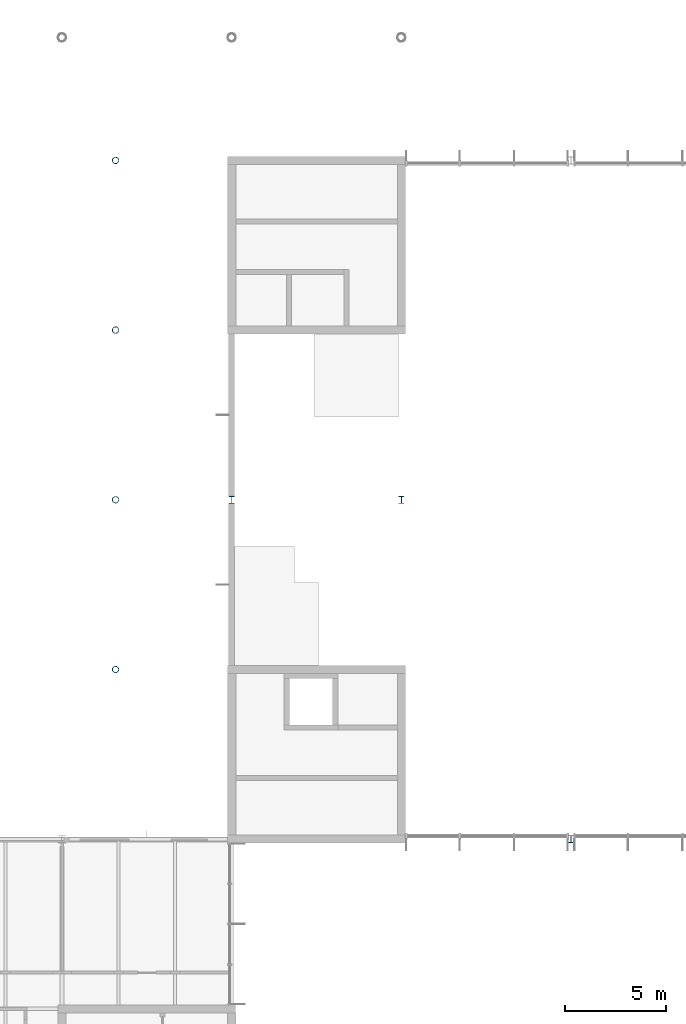
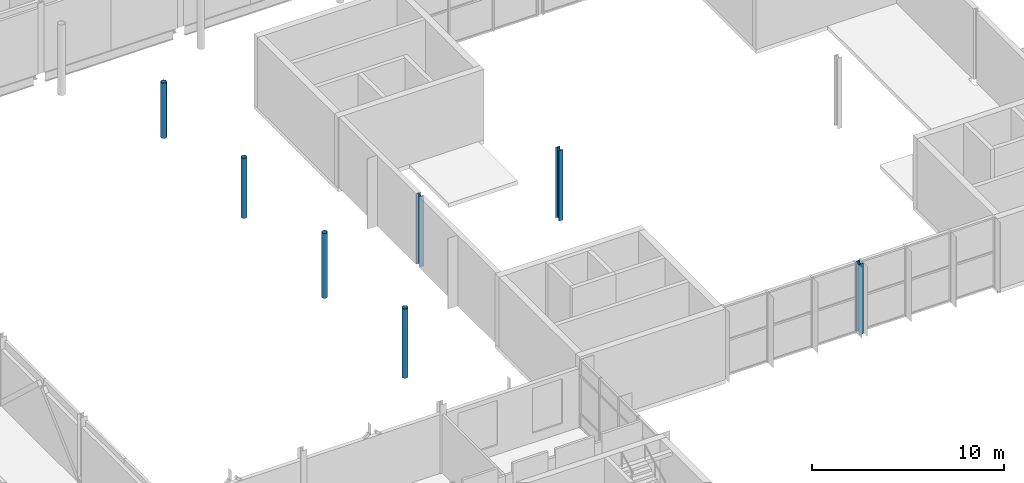
# One storey, part 4 of 89: 7 columns.
"""IFC4 building model written with IfcOpenShell, lengths in metres."""

import ifcopenshell
import ifcopenshell.guid

model = None  # the IFC model being written
_history = None  # IfcOwnerHistory: only IFC2X3 demands one
_inside = {}  # id of a spatial element -> (the spatial element, [elements in it])
_under = {}  # id of a project, library or spatial element -> (it, [spatial elements below it])
_declared = {}  # id of a project -> (the project, [libraries it declares])
_typed = {}  # id of a type object -> (the type object, [elements of that type])
_made_of = {}  # id of a material, layer set ... -> (it, [elements and type objects made of it])


def new_model(schema):
    """Start an empty IFC model of exactly this schema.

    Asked for "IFC4X3", IfcOpenShell would pick the latest addendum, in which some entities
    have other attributes; the version numbers below select the first issue.
    IFC2X3 requires an IfcOwnerHistory on every rooted entity: one is made here for all.
    """
    global model, _history
    if schema == "IFC4X3":
        model = ifcopenshell.file(schema_version=(4, 3, 0, 0))
    else:
        model = ifcopenshell.file(schema=schema)
    _inside.clear()
    _under.clear()
    _declared.clear()
    _typed.clear()
    _made_of.clear()
    _history = None
    if model.schema == "IFC2X3":
        org = make("IfcOrganization", Name="unknown")
        user = make(
            "IfcPersonAndOrganization",
            ThePerson=make("IfcPerson", FamilyName="unknown"),
            TheOrganization=org,
        )
        app = make(
            "IfcApplication",
            ApplicationDeveloper=org,
            Version="unknown",
            ApplicationFullName="unknown",
            ApplicationIdentifier="unknown",
        )
        _history = make(
            "IfcOwnerHistory",
            OwningUser=user,
            OwningApplication=app,
            ChangeAction="ADDED",
            CreationDate=0,
        )
    return model


def make(cls, **values):
    """One entity of the class cls with the attributes given. An attribute that is None is left unset."""
    return model.create_entity(
        cls, **{name: value for name, value in values.items() if value is not None}
    )


def rooted(cls, **values):
    """An entity with a GlobalId (a new one), such as an element, a storey or a relation."""
    return make(cls, GlobalId=ifcopenshell.guid.new(), OwnerHistory=_history, **values)


def si_unit(unit_type, name, prefix=None):
    """IfcSIUnit, for example si_unit("LENGTHUNIT", "METRE", prefix="MILLI")."""
    return make("IfcSIUnit", UnitType=unit_type, Prefix=prefix, Name=name)


def assignment(units):
    """IfcUnitAssignment: the units of a project."""
    return None if units is None else make("IfcUnitAssignment", Units=units)


def point(xyz):
    """IfcCartesianPoint."""
    return None if xyz is None else make("IfcCartesianPoint", Coordinates=xyz)


def direction(xyz):
    """IfcDirection."""
    return None if xyz is None else make("IfcDirection", DirectionRatios=xyz)


def frame(location, z_axis=None, x_axis=None):
    """IfcAxis2Placement3D, a coordinate frame: its origin and axes. An axis left out is left unset."""
    return make(
        "IfcAxis2Placement3D",
        Location=point(location),
        Axis=direction(z_axis),
        RefDirection=direction(x_axis),
    )


def frame_2d(location, x_axis=None):
    """IfcAxis2Placement2D, a coordinate frame in the plane: its origin and x axis."""
    return make(
        "IfcAxis2Placement2D", Location=point(location), RefDirection=direction(x_axis)
    )


def origin():
    """The frame at (0, 0, 0) with its axes left unset."""
    return frame((0.0, 0.0, 0.0))


def origin_2d():
    """The frame at (0, 0) in the plane with its x axis left unset."""
    return frame_2d((0.0, 0.0))


def place(relative_to, where):
    """IfcLocalPlacement: puts the frame where relative to a parent placement (None: the world)."""
    return make(
        "IfcLocalPlacement", PlacementRelTo=relative_to, RelativePlacement=where
    )


def context(
    kind, dimensions, precision=None, world=None, true_north=None, identifier=None
):
    """IfcGeometricRepresentationContext, for example the 3D "Model" context."""
    return make(
        "IfcGeometricRepresentationContext",
        ContextIdentifier=identifier,
        ContextType=kind,
        CoordinateSpaceDimension=dimensions,
        Precision=precision,
        WorldCoordinateSystem=world,
        TrueNorth=true_north,
    )


def subcontext(parent, identifier, kind, view, scale=None):
    """IfcGeometricRepresentationSubContext, for example "Body" below "Model"."""
    return make(
        "IfcGeometricRepresentationSubContext",
        ContextIdentifier=identifier,
        ContextType=kind,
        ParentContext=parent,
        TargetScale=scale,
        TargetView=view,
    )


def project(units=None, contexts=None):
    """IfcProject with its units and contexts."""
    return rooted(
        "IfcProject",
        Name="project",
        RepresentationContexts=contexts,
        UnitsInContext=assignment(units),
    )


def spatial(cls, under=None, at=None, **own):
    """A site, building, storey or space (cls), placed at a placement, below another one or the project."""
    s = rooted(cls, ObjectPlacement=at, **own)
    if under is not None:
        _under.setdefault(under.id(), (under, []))[1].append(s)
    return s


def profile(cls, at=None, kind="AREA", **sizes):
    """A parametric profile (cls). Its sizes go by their IFC names, for example OverallWidth=200.0."""
    return make(cls, ProfileType=kind, Position=at, **sizes)


def hollow_circle(**sizes):
    """IfcCircleHollowProfileDef."""
    return profile("IfcCircleHollowProfileDef", **sizes)


def i_section(**sizes):
    """IfcIShapeProfileDef."""
    return profile("IfcIShapeProfileDef", **sizes)


def extrude(swept, where, along, depth):
    """IfcExtrudedAreaSolid: the profile swept, set in the frame where, extruded along a direction by depth."""
    return make(
        "IfcExtrudedAreaSolid",
        SweptArea=swept,
        Position=where,
        ExtrudedDirection=direction(along),
        Depth=depth,
    )


def shape(context_of_items, identifier, shape_type, items):
    """IfcShapeRepresentation: the items that make up one representation, for example the "Body"."""
    return make(
        "IfcShapeRepresentation",
        ContextOfItems=context_of_items,
        RepresentationIdentifier=identifier,
        RepresentationType=shape_type,
        Items=items,
    )


def material(Name=None, Category=None):
    """IfcMaterial."""
    return make("IfcMaterial", Name=Name, Category=Category)


def material_profile(
    of_material, cross_section, Name=None, Category=None, Priority=None
):
    """IfcMaterialProfile: a cross section and its material."""
    return make(
        "IfcMaterialProfile",
        Name=Name,
        Material=of_material,
        Profile=cross_section,
        Priority=Priority,
        Category=Category,
    )


def profile_set(profiles, Name=None, composite=None):
    """IfcMaterialProfileSet."""
    return make(
        "IfcMaterialProfileSet",
        Name=Name,
        MaterialProfiles=profiles,
        CompositeProfile=composite,
    )


def made_of(thing, what):
    """Note that an element or type object is made of a material, layer set ...; save() writes the relation."""
    if what is not None:
        _made_of.setdefault(what.id(), (what, []))[1].append(thing)
    return thing


def type_object(cls, material=None, **own):
    """A type object (cls), such as IfcWallType, which elements share."""
    return made_of(rooted(cls, **own), material)


def element(
    cls,
    number,
    at=None,
    inside=None,
    cuts=None,
    type_object=None,
    material=None,
    context=None,
    identifier="Body",
    shape_type=None,
    held_by="IfcProductDefinitionShape",
    body=None,
    shapes=None,
    **own,
):
    """One element of the class cls, such as IfcWall. Its Tag is "e" and its number.

    at: its placement. inside: the storey or other place that contains it. cuts: it is an
    opening in that element (IfcRelVoidsElement). A single representation is given by context,
    identifier, shape_type and body (its items); several are given by shapes. held_by: the class
    of the entity that holds the representations. save() writes the other relations.
    """
    e = rooted(cls, Tag="e%d" % number, ObjectPlacement=at, **own)
    if body is not None:
        shapes = [shape(context, identifier, shape_type, body)]
    if shapes is not None:
        e.Representation = make(held_by, Representations=shapes)
    if inside is not None:
        _inside.setdefault(inside.id(), (inside, []))[1].append(e)
    if cuts is not None:
        rooted(
            "IfcRelVoidsElement", RelatingBuildingElement=cuts, RelatedOpeningElement=e
        )
    if type_object is not None:
        _typed.setdefault(type_object.id(), (type_object, []))[1].append(e)
    return made_of(e, material)


def aggregate(whole, parts):
    """IfcRelAggregates: a whole, such as a stair, and the parts it consists of."""
    return rooted("IfcRelAggregates", RelatingObject=whole, RelatedObjects=parts)


def save(model, path):
    """Write the relations noted so far, then the file.

    IfcRelAggregates (storeys below a building ...), IfcRelContainedInSpatialStructure (elements
    in a storey), IfcRelDefinesByType, IfcRelAssociatesMaterial and IfcRelDeclares: one each for
    every whole, place, type object, material and project.
    """
    for whole, parts in _under.values():
        aggregate(whole, parts)
    for where, things in _inside.values():
        rooted(
            "IfcRelContainedInSpatialStructure",
            RelatedElements=things,
            RelatingStructure=where,
        )
    for kind, things in _typed.values():
        rooted("IfcRelDefinesByType", RelatedObjects=things, RelatingType=kind)
    for what, things in _made_of.values():
        rooted("IfcRelAssociatesMaterial", RelatedObjects=things, RelatingMaterial=what)
    for by, libraries in _declared.values():
        rooted("IfcRelDeclares", RelatingContext=by, RelatedDefinitions=libraries)
    model.write(path)


model = new_model("IFC4")

# Units and contexts
model_context = context("Model", 3, precision=1e-05, world=origin(), true_north=direction((0.0, 1.0)))
body_context = subcontext(model_context, "Body", "Model", "MODEL_VIEW")
ifc_project = project(units=[si_unit("LENGTHUNIT", "METRE"), si_unit("AREAUNIT", "SQUARE_METRE"), si_unit("VOLUMEUNIT", "CUBIC_METRE"), si_unit("PLANEANGLEUNIT", "RADIAN"), si_unit("MASSUNIT", "GRAM", prefix="KILO")], contexts=[model_context])

# Site, building, storey
site_placement = place(None, origin())
site = spatial("IfcSite", under=ifc_project, at=site_placement, CompositionType="ELEMENT")
building_placement = place(site_placement, origin())
building = spatial("IfcBuilding", under=site, at=building_placement, Name="Hlaing Beacon Police Headquarters", CompositionType="ELEMENT")
storey_placement = place(building_placement, frame((0.0, 0.0, 9.89990234375)))
storey = spatial("IfcBuildingStorey", under=building, at=storey_placement, Name="L02", CompositionType="ELEMENT", Elevation=9.89990234375)

# Columns
ifc_material_1 = material(Name="Steel ASTM A500 Grade C", Category="steel")
ifc_material_profile_1 = material_profile(ifc_material_1, hollow_circle(Radius=0.161865234375, WallThickness=0.0126953125, at=origin_2d()), Name="HSS12.750x0.500")
ifc_profile_set_1 = profile_set([ifc_material_profile_1], Name="Steel ASTM A500 Grade C")
column_type_1 = type_object("IfcColumnType", Name="Eave post HSS12.750x0.500", PredefinedType="COLUMN", material=ifc_profile_set_1)
column_1_placement = place(storey_placement, frame((53.050048828125, 42.0, 0.0), z_axis=(0.0, 0.0, 1.0), x_axis=(1.0, 0.0, 0.0)))
element("IfcColumn", 1, at=column_1_placement, inside=storey, type_object=column_type_1, Name="STR-RT-V1-EP2-L02", PredefinedType="COLUMN", context=body_context, shape_type="SweptSolid", body=[
    extrude(hollow_circle(Radius=0.161865234375, WallThickness=0.0126953125, at=origin_2d()), origin(), (0.0, 0.0, 1.0), 4.42431640625),
])
column_2_placement = place(storey_placement, frame((53.050048828125, 50.39990234375, 0.0), z_axis=(0.0, 0.0, 1.0), x_axis=(1.0, 0.0, 0.0)))
element("IfcColumn", 2, at=column_2_placement, inside=storey, type_object=column_type_1, Name="STR-RT-V1-EP3-L02", PredefinedType="COLUMN", context=body_context, shape_type="SweptSolid", body=[
    extrude(hollow_circle(Radius=0.161865234375, WallThickness=0.0126953125, at=origin_2d()), origin(), (0.0, 0.0, 1.0), 4.124267578125),
])
column_3_placement = place(storey_placement, frame((53.050048828125, 58.800048828125, 0.0), z_axis=(0.0, 0.0, 1.0), x_axis=(1.0, 0.0, 0.0)))
element("IfcColumn", 3, at=column_3_placement, inside=storey, type_object=column_type_1, Name="STR-RT-V1-EP4-L02", PredefinedType="COLUMN", context=body_context, shape_type="SweptSolid", body=[
    extrude(hollow_circle(Radius=0.161865234375, WallThickness=0.0126953125, at=origin_2d()), origin(), (0.0, 0.0, 1.0), 3.82421875),
])
column_4_placement = place(storey_placement, frame((53.050048828125, 67.199951171875, 0.0), z_axis=(0.0, 0.0, 1.0), x_axis=(1.0, 0.0, 0.0)))
element("IfcColumn", 4, at=column_4_placement, inside=storey, type_object=column_type_1, Name="STR-RT-V1-EP5-L02", PredefinedType="COLUMN", context=body_context, shape_type="SweptSolid", body=[
    extrude(hollow_circle(Radius=0.161865234375, WallThickness=0.0126953125, at=origin_2d()), origin(), (0.0, 0.0, 1.0), 3.524169921875),
])
ifc_material_2 = material(Name="Steel ASTM A992 Grade 50", Category="steel")
ifc_material_profile_2 = material_profile(ifc_material_2, i_section(OverallWidth=0.25390625, OverallDepth=0.35302734375, WebThickness=0.009521484375, FlangeThickness=0.016357421875, FilletRadius=0.01513671875, at=origin_2d()), Name="W14x61")
ifc_profile_set_2 = profile_set([ifc_material_profile_2], Name="Steel ASTM A992 Grade 50")
column_type_2 = type_object("IfcColumnType", Name="Steel column W14x61", PredefinedType="COLUMN", material=ifc_profile_set_2)
column_5_placement = place(storey_placement, frame((58.800048828125, 50.39990234375, 0.0), z_axis=(0.0, 0.0, 1.0), x_axis=(1.0, 0.0, 0.0)))
element("IfcColumn", 5, at=column_5_placement, inside=storey, type_object=column_type_2, Name="STR-COL-L02-H7", PredefinedType="COLUMN", context=body_context, shape_type="SweptSolid", body=[
    extrude(i_section(OverallWidth=0.25390625, OverallDepth=0.35302734375, WebThickness=0.009521484375, FlangeThickness=0.016357421875, FilletRadius=0.01513671875, at=origin_2d()), origin(), (0.0, 0.0, 1.0), 4.5),
])
ifc_material_3 = material(Name="Steel ASTM A992 Grade 50", Category="steel")
ifc_material_profile_3 = material_profile(ifc_material_3, i_section(OverallWidth=0.256591796875, OverallDepth=0.36328125, WebThickness=0.012939453125, FlangeThickness=0.021728515625, FilletRadius=0.01513671875, at=origin_2d()), Name="W14x82")
ifc_profile_set_3 = profile_set([ifc_material_profile_3], Name="Steel ASTM A992 Grade 50")
column_type_3 = type_object("IfcColumnType", Name="Steel column W14x82", PredefinedType="COLUMN", material=ifc_profile_set_3)
for number, where, z_axis, x_axis, name in (
    (6, (67.199951171875, 50.39990234375, 0.0), (0.0, 0.0, 1.0), (1.0, 0.0, 0.0), "STR-COL-L02-J7"),
    (7, (75.60009765625, 33.60009765625, 0.0), (0.0, 0.0, 1.0), (1.0, 0.0, 0.0), "STR-COL-L02-K5"),
):
    element("IfcColumn", number, at=place(storey_placement, frame(where, z_axis=z_axis, x_axis=x_axis)), inside=storey, type_object=column_type_3, Name=name, PredefinedType="COLUMN", context=body_context, shape_type="SweptSolid", body=[
        extrude(i_section(OverallWidth=0.256591796875, OverallDepth=0.36328125, WebThickness=0.012939453125, FlangeThickness=0.021728515625, FilletRadius=0.01513671875, at=origin_2d()), origin(), (0.0, 0.0, 1.0), 4.5),
    ])

save(model, "model.ifc")
